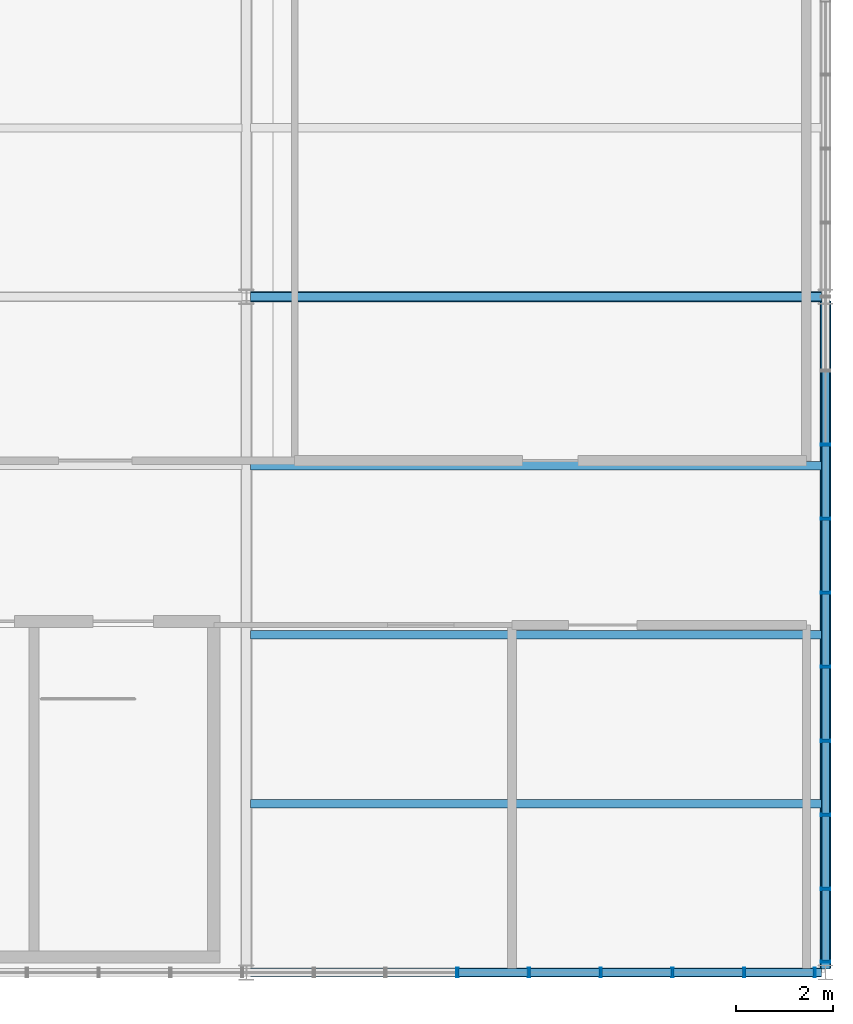
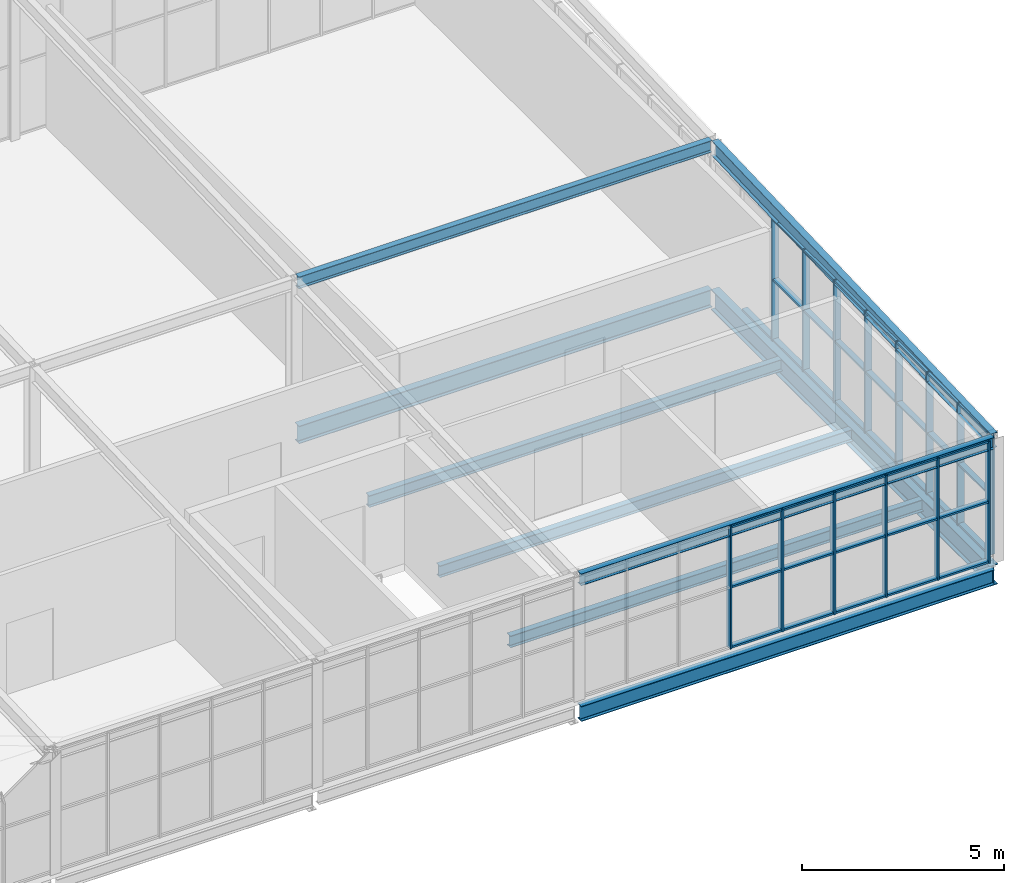
# One storey, part 16 of 27: 51 members, 9 beams, 2 elements without a shape of their own.
"""IFC4 building model written with IfcOpenShell, lengths in metres."""

from ifc_helpers import new_model, si_unit, direction, frame, origin, origin_2d, place, context, subcontext, project, spatial, hollow_rectangle, i_section, extrude, material, layer, layer_set, material_profile, profile_set, type_object, element, aggregate, save


model = new_model("IFC4")

# Units and contexts
model_context = context("Model", 3, precision=1e-05, world=origin(), true_north=direction((0.0, 1.0)))
body_context = subcontext(model_context, "Body", "Model", "MODEL_VIEW")
ifc_project = project(units=[si_unit("LENGTHUNIT", "METRE"), si_unit("AREAUNIT", "SQUARE_METRE"), si_unit("VOLUMEUNIT", "CUBIC_METRE"), si_unit("PLANEANGLEUNIT", "RADIAN"), si_unit("MASSUNIT", "GRAM", prefix="KILO")], contexts=[model_context])

# Site, building, storey
site_placement = place(None, origin())
site = spatial("IfcSite", under=ifc_project, at=site_placement, CompositionType="ELEMENT")
building_placement = place(site_placement, origin())
building = spatial("IfcBuilding", under=site, at=building_placement, Name="Solvenia Promenade Tram Depot", CompositionType="ELEMENT")
storey_placement = place(building_placement, frame((0.0, 0.0, 13.5)))
storey = spatial("IfcBuildingStorey", under=building, at=storey_placement, Name="L03", CompositionType="ELEMENT", Elevation=13.5)

# Beam
ifc_material_1 = material(Name="Structural steel ASTM A992 Gr. 50", Category="steel")
ifc_material_profile_1 = material_profile(ifc_material_1, i_section(OverallWidth=0.19091796875, OverallDepth=0.4599609375, WebThickness=0.010009765625, FlangeThickness=0.01611328125, FilletRadius=0.012939453125, at=origin_2d()), Name="W460x82", Category="steel")
ifc_profile_set_1 = profile_set([ifc_material_profile_1], Name="Structural steel ASTM A992 Gr. 50")
beam_type_1 = type_object("IfcBeamType", Name="Beam-W460x82", PredefinedType="BEAM", material=ifc_profile_set_1)
beam_1_placement = place(storey_placement, frame((162.0, 38.0849609375, 3.530029296875), z_axis=(0.0, 0.999347117137, 0.036129481992), x_axis=(-1.0, 0.0, 0.0)))
element("IfcBeam", 1, at=beam_1_placement, inside=storey, type_object=beam_type_1, Name="Control Hub Sloped Rafter BM-L03-0889", PredefinedType="BEAM", context=body_context, shape_type="SweptSolid", body=[
    extrude(i_section(OverallWidth=0.19091796875, OverallDepth=0.4599609375, WebThickness=0.010009765625, FlangeThickness=0.01611328125, FilletRadius=0.012939453125, at=origin_2d()), origin(), (0.0, 0.0, 1.0), 13.839111328125),
])

# Curtain wall, members
ifc_material_2 = material(Name="Anodized aluminium AW-6063 T6", Category="aluminium")
ifc_layer = layer(ifc_material_2, 0.199951171875, Name="Anodized aluminium AW-6063 T6", Category="aluminium")
ifc_layer_set = layer_set([ifc_layer], Name="Anodized aluminium AW-6063 T6")
curtain_wall_type = type_object("IfcCurtainWallType", Name="CW-OCC-1500", PredefinedType="NOTDEFINED", material=ifc_layer_set)
curtain_wall_1_placement = place(storey_placement, origin())
curtain_wall_1 = element("IfcCurtainWall", 2, at=curtain_wall_1_placement, inside=storey, type_object=curtain_wall_type, Name="Curtain Wall CW-L03-V2S", PredefinedType="NOTDEFINED")
ifc_material_profile_2 = material_profile(ifc_material_2, hollow_rectangle(XDim=0.199951171875, YDim=0.048095703125, WallThickness=0.00390625, at=origin_2d()), Name="ALU-M3", Category="aluminium")
ifc_profile_set_2 = profile_set([ifc_material_profile_2], Name="Anodized aluminium AW-6063 T6")
member_type_1 = type_object("IfcMemberType", Name="CWM-Mullion-3", PredefinedType="MULLION", material=ifc_profile_set_2)
member_1_placement = place(storey_placement, frame((154.371337890625, 38.0, 0.0), z_axis=(0.0, 0.0, 1.0), x_axis=(0.0, 1.0, 0.0)))
member_1 = element("IfcMember", 3, at=member_1_placement, type_object=member_type_1, Name="CW-8 mullion 24", PredefinedType="MULLION", context=body_context, shape_type="SweptSolid", body=[
    extrude(hollow_rectangle(XDim=0.199951171875, YDim=0.048095703125, WallThickness=0.00390625, at=origin_2d()), origin(), (0.0, 0.0, 1.0), 3.699951171875),
])
member_2_placement = place(storey_placement, frame((155.857177734375, 38.0, 0.0), z_axis=(0.0, 0.0, 1.0), x_axis=(0.0, 1.0, 0.0)))
member_2 = element("IfcMember", 4, at=member_2_placement, type_object=member_type_1, Name="CW-8 mullion 25", PredefinedType="MULLION", context=body_context, shape_type="SweptSolid", body=[
    extrude(hollow_rectangle(XDim=0.199951171875, YDim=0.048095703125, WallThickness=0.00390625, at=origin_2d()), origin(), (0.0, 0.0, 1.0), 3.699951171875),
])
member_3_placement = place(storey_placement, frame((157.3427734375, 38.0, 0.0), z_axis=(0.0, 0.0, 1.0), x_axis=(0.0, 1.0, 0.0)))
member_3 = element("IfcMember", 5, at=member_3_placement, type_object=member_type_1, Name="CW-8 mullion 26", PredefinedType="MULLION", context=body_context, shape_type="SweptSolid", body=[
    extrude(hollow_rectangle(XDim=0.199951171875, YDim=0.048095703125, WallThickness=0.00390625, at=origin_2d()), origin(), (0.0, 0.0, 1.0), 3.699951171875),
])
member_4_placement = place(storey_placement, frame((158.82861328125, 38.0, 0.0), z_axis=(0.0, 0.0, 1.0), x_axis=(0.0, 1.0, 0.0)))
member_4 = element("IfcMember", 6, at=member_4_placement, type_object=member_type_1, Name="CW-8 mullion 27", PredefinedType="MULLION", context=body_context, shape_type="SweptSolid", body=[
    extrude(hollow_rectangle(XDim=0.199951171875, YDim=0.048095703125, WallThickness=0.00390625, at=origin_2d()), origin(), (0.0, 0.0, 1.0), 3.699951171875),
])
member_5_placement = place(storey_placement, frame((160.314208984375, 38.0, 0.0), z_axis=(0.0, 0.0, 1.0), x_axis=(0.0, 1.0, 0.0)))
member_5 = element("IfcMember", 7, at=member_5_placement, type_object=member_type_1, Name="CW-8 mullion 28", PredefinedType="MULLION", context=body_context, shape_type="SweptSolid", body=[
    extrude(hollow_rectangle(XDim=0.199951171875, YDim=0.048095703125, WallThickness=0.00390625, at=origin_2d()), origin(), (0.0, 0.0, 1.0), 3.699951171875),
])
member_6_placement = place(storey_placement, frame((161.77587890625, 38.0, 0.0), z_axis=(0.0, 0.0, 1.0), x_axis=(0.0, 1.0, 0.0)))
member_6 = element("IfcMember", 8, at=member_6_placement, type_object=member_type_1, Name="CW-8 mullion 29", PredefinedType="MULLION", context=body_context, shape_type="SweptSolid", body=[
    extrude(hollow_rectangle(XDim=0.199951171875, YDim=0.048095703125, WallThickness=0.00390625, at=origin_2d()), origin(), (0.0, 0.0, 1.0), 3.699951171875),
])

curtain_wall_2_placement = place(storey_placement, origin())
curtain_wall_2 = element("IfcCurtainWall", 9, at=curtain_wall_2_placement, inside=storey, type_object=curtain_wall_type, Name="Curtain Wall CW-L03-V2E", PredefinedType="NOTDEFINED")
member_7_placement = place(storey_placement, frame((162.0, 38.22412109375, 0.0), z_axis=(0.0, 0.0, 1.0), x_axis=(-1.0, 0.0, 0.0)))
member_7 = element("IfcMember", 10, at=member_7_placement, type_object=member_type_1, Name="CW-8 mullion 1", PredefinedType="MULLION", context=body_context, shape_type="SweptSolid", body=[
    extrude(hollow_rectangle(XDim=0.199951171875, YDim=0.048095703125, WallThickness=0.00390625, at=origin_2d()), origin(), (0.0, 0.0, 1.0), 3.699951171875),
])
member_8_placement = place(storey_placement, frame((162.0, 39.7333984375, 0.0), z_axis=(0.0, 0.0, 1.0), x_axis=(-1.0, 0.0, 0.0)))
member_8 = element("IfcMember", 11, at=member_8_placement, type_object=member_type_1, Name="CW-8 mullion 2", PredefinedType="MULLION", context=body_context, shape_type="SweptSolid", body=[
    extrude(hollow_rectangle(XDim=0.199951171875, YDim=0.048095703125, WallThickness=0.00390625, at=origin_2d()), origin(), (0.0, 0.0, 1.0), 3.699951171875),
])
member_9_placement = place(storey_placement, frame((162.0, 41.2666015625, 0.0), z_axis=(0.0, 0.0, 1.0), x_axis=(-1.0, 0.0, 0.0)))
member_9 = element("IfcMember", 12, at=member_9_placement, type_object=member_type_1, Name="CW-8 mullion 3", PredefinedType="MULLION", context=body_context, shape_type="SweptSolid", body=[
    extrude(hollow_rectangle(XDim=0.199951171875, YDim=0.048095703125, WallThickness=0.00390625, at=origin_2d()), origin(), (0.0, 0.0, 1.0), 3.699951171875),
])
member_10_placement = place(storey_placement, frame((162.0, 42.800048828125, 0.0), z_axis=(0.0, 0.0, 1.0), x_axis=(-1.0, 0.0, 0.0)))
member_10 = element("IfcMember", 13, at=member_10_placement, type_object=member_type_1, Name="CW-8 mullion 4", PredefinedType="MULLION", context=body_context, shape_type="SweptSolid", body=[
    extrude(hollow_rectangle(XDim=0.199951171875, YDim=0.048095703125, WallThickness=0.00390625, at=origin_2d()), origin(), (0.0, 0.0, 1.0), 3.699951171875),
])
member_11_placement = place(storey_placement, frame((162.0, 44.333251953125, 0.0), z_axis=(0.0, 0.0, 1.0), x_axis=(-1.0, 0.0, 0.0)))
member_11 = element("IfcMember", 14, at=member_11_placement, type_object=member_type_1, Name="CW-8 mullion 5", PredefinedType="MULLION", context=body_context, shape_type="SweptSolid", body=[
    extrude(hollow_rectangle(XDim=0.199951171875, YDim=0.048095703125, WallThickness=0.00390625, at=origin_2d()), origin(), (0.0, 0.0, 1.0), 3.699951171875),
])
member_12_placement = place(storey_placement, frame((162.0, 45.86669921875, 0.0), z_axis=(0.0, 0.0, 1.0), x_axis=(-1.0, 0.0, 0.0)))
member_12 = element("IfcMember", 15, at=member_12_placement, type_object=member_type_1, Name="CW-8 mullion 6", PredefinedType="MULLION", context=body_context, shape_type="SweptSolid", body=[
    extrude(hollow_rectangle(XDim=0.199951171875, YDim=0.048095703125, WallThickness=0.00390625, at=origin_2d()), origin(), (0.0, 0.0, 1.0), 3.699951171875),
])
member_13_placement = place(storey_placement, frame((162.0, 47.39990234375, 0.0), z_axis=(0.0, 0.0, 1.0), x_axis=(-1.0, 0.0, 0.0)))
member_13 = element("IfcMember", 16, at=member_13_placement, type_object=member_type_1, Name="CW-8 mullion 7", PredefinedType="MULLION", context=body_context, shape_type="SweptSolid", body=[
    extrude(hollow_rectangle(XDim=0.199951171875, YDim=0.048095703125, WallThickness=0.00390625, at=origin_2d()), origin(), (0.0, 0.0, 1.0), 3.699951171875),
])
member_14_placement = place(storey_placement, frame((162.0, 48.933349609375, 0.0), z_axis=(0.0, 0.0, 1.0), x_axis=(-1.0, 0.0, 0.0)))
member_14 = element("IfcMember", 17, at=member_14_placement, type_object=member_type_1, Name="CW-8 mullion 8", PredefinedType="MULLION", context=body_context, shape_type="SweptSolid", body=[
    extrude(hollow_rectangle(XDim=0.199951171875, YDim=0.048095703125, WallThickness=0.00390625, at=origin_2d()), origin(), (0.0, 0.0, 1.0), 3.699951171875),
])

# Member
ifc_material_profile_3 = material_profile(ifc_material_2, hollow_rectangle(XDim=0.159912109375, YDim=0.05810546875, WallThickness=0.00390625, at=origin_2d()), Name="ALU-T3", Category="aluminium")
ifc_profile_set_3 = profile_set([ifc_material_profile_3], Name="Anodized aluminium AW-6063 T6")
member_type_2 = type_object("IfcMemberType", Name="CWT-Transom-3", PredefinedType="USERDEFINED", material=ifc_profile_set_3)
member_15_placement = place(storey_placement, frame((154.3955078125, 38.0, 0.029052734375), z_axis=(1.0, 0.0, 0.0), x_axis=(0.0, 1.0, 0.0)))
member_15 = element("IfcMember", 18, at=member_15_placement, type_object=member_type_2, Name="CW-8 transom 24.1", ObjectType="TRANSOM", PredefinedType="USERDEFINED", context=body_context, shape_type="SweptSolid", body=[
    extrude(hollow_rectangle(XDim=0.159912109375, YDim=0.05810546875, WallThickness=0.00390625, at=origin_2d()), origin(), (0.0, 0.0, 1.0), 1.437744140625),
])

member_16_placement = place(storey_placement, frame((154.3955078125, 38.0, 1.85009765625), z_axis=(1.0, 0.0, 0.0), x_axis=(0.0, 1.0, 0.0)))
member_16 = element("IfcMember", 19, at=member_16_placement, type_object=member_type_2, Name="CW-8 transom 24.2", ObjectType="TRANSOM", PredefinedType="USERDEFINED", context=body_context, shape_type="SweptSolid", body=[
    extrude(hollow_rectangle(XDim=0.159912109375, YDim=0.05810546875, WallThickness=0.00390625, at=origin_2d()), origin(), (0.0, 0.0, 1.0), 1.437744140625),
])

member_17_placement = place(storey_placement, frame((154.3955078125, 38.0, 3.6708984375), z_axis=(1.0, 0.0, 0.0), x_axis=(0.0, 1.0, 0.0)))
member_17 = element("IfcMember", 20, at=member_17_placement, type_object=member_type_2, Name="CW-8 transom 24.3", ObjectType="TRANSOM", PredefinedType="USERDEFINED", context=body_context, shape_type="SweptSolid", body=[
    extrude(hollow_rectangle(XDim=0.159912109375, YDim=0.05810546875, WallThickness=0.00390625, at=origin_2d()), origin(), (0.0, 0.0, 1.0), 1.437744140625),
])

member_18_placement = place(storey_placement, frame((155.881103515625, 38.0, 0.029052734375), z_axis=(1.0, 0.0, 0.0), x_axis=(0.0, 1.0, 0.0)))
member_18 = element("IfcMember", 21, at=member_18_placement, type_object=member_type_2, Name="CW-8 transom 25.1", ObjectType="TRANSOM", PredefinedType="USERDEFINED", context=body_context, shape_type="SweptSolid", body=[
    extrude(hollow_rectangle(XDim=0.159912109375, YDim=0.05810546875, WallThickness=0.00390625, at=origin_2d()), origin(), (0.0, 0.0, 1.0), 1.437744140625),
])

member_19_placement = place(storey_placement, frame((155.881103515625, 38.0, 1.85009765625), z_axis=(1.0, 0.0, 0.0), x_axis=(0.0, 1.0, 0.0)))
member_19 = element("IfcMember", 22, at=member_19_placement, type_object=member_type_2, Name="CW-8 transom 25.2", ObjectType="TRANSOM", PredefinedType="USERDEFINED", context=body_context, shape_type="SweptSolid", body=[
    extrude(hollow_rectangle(XDim=0.159912109375, YDim=0.05810546875, WallThickness=0.00390625, at=origin_2d()), origin(), (0.0, 0.0, 1.0), 1.437744140625),
])

member_20_placement = place(storey_placement, frame((155.881103515625, 38.0, 3.6708984375), z_axis=(1.0, 0.0, 0.0), x_axis=(0.0, 1.0, 0.0)))
member_20 = element("IfcMember", 23, at=member_20_placement, type_object=member_type_2, Name="CW-8 transom 25.3", ObjectType="TRANSOM", PredefinedType="USERDEFINED", context=body_context, shape_type="SweptSolid", body=[
    extrude(hollow_rectangle(XDim=0.159912109375, YDim=0.05810546875, WallThickness=0.00390625, at=origin_2d()), origin(), (0.0, 0.0, 1.0), 1.437744140625),
])

member_21_placement = place(storey_placement, frame((157.366943359375, 38.0, 0.029052734375), z_axis=(1.0, 0.0, 0.0), x_axis=(0.0, 1.0, 0.0)))
member_21 = element("IfcMember", 24, at=member_21_placement, type_object=member_type_2, Name="CW-8 transom 26.1", ObjectType="TRANSOM", PredefinedType="USERDEFINED", context=body_context, shape_type="SweptSolid", body=[
    extrude(hollow_rectangle(XDim=0.159912109375, YDim=0.05810546875, WallThickness=0.00390625, at=origin_2d()), origin(), (0.0, 0.0, 1.0), 1.437744140625),
])

member_22_placement = place(storey_placement, frame((157.366943359375, 38.0, 1.85009765625), z_axis=(1.0, 0.0, 0.0), x_axis=(0.0, 1.0, 0.0)))
member_22 = element("IfcMember", 25, at=member_22_placement, type_object=member_type_2, Name="CW-8 transom 26.2", ObjectType="TRANSOM", PredefinedType="USERDEFINED", context=body_context, shape_type="SweptSolid", body=[
    extrude(hollow_rectangle(XDim=0.159912109375, YDim=0.05810546875, WallThickness=0.00390625, at=origin_2d()), origin(), (0.0, 0.0, 1.0), 1.437744140625),
])

member_23_placement = place(storey_placement, frame((157.366943359375, 38.0, 3.6708984375), z_axis=(1.0, 0.0, 0.0), x_axis=(0.0, 1.0, 0.0)))
member_23 = element("IfcMember", 26, at=member_23_placement, type_object=member_type_2, Name="CW-8 transom 26.3", ObjectType="TRANSOM", PredefinedType="USERDEFINED", context=body_context, shape_type="SweptSolid", body=[
    extrude(hollow_rectangle(XDim=0.159912109375, YDim=0.05810546875, WallThickness=0.00390625, at=origin_2d()), origin(), (0.0, 0.0, 1.0), 1.437744140625),
])

member_24_placement = place(storey_placement, frame((158.8525390625, 38.0, 0.029052734375), z_axis=(1.0, 0.0, 0.0), x_axis=(0.0, 1.0, 0.0)))
member_24 = element("IfcMember", 27, at=member_24_placement, type_object=member_type_2, Name="CW-8 transom 27.1", ObjectType="TRANSOM", PredefinedType="USERDEFINED", context=body_context, shape_type="SweptSolid", body=[
    extrude(hollow_rectangle(XDim=0.159912109375, YDim=0.05810546875, WallThickness=0.00390625, at=origin_2d()), origin(), (0.0, 0.0, 1.0), 1.437744140625),
])

member_25_placement = place(storey_placement, frame((158.8525390625, 38.0, 1.85009765625), z_axis=(1.0, 0.0, 0.0), x_axis=(0.0, 1.0, 0.0)))
member_25 = element("IfcMember", 28, at=member_25_placement, type_object=member_type_2, Name="CW-8 transom 27.2", ObjectType="TRANSOM", PredefinedType="USERDEFINED", context=body_context, shape_type="SweptSolid", body=[
    extrude(hollow_rectangle(XDim=0.159912109375, YDim=0.05810546875, WallThickness=0.00390625, at=origin_2d()), origin(), (0.0, 0.0, 1.0), 1.437744140625),
])

member_26_placement = place(storey_placement, frame((158.8525390625, 38.0, 3.6708984375), z_axis=(1.0, 0.0, 0.0), x_axis=(0.0, 1.0, 0.0)))
member_26 = element("IfcMember", 29, at=member_26_placement, type_object=member_type_2, Name="CW-8 transom 27.3", ObjectType="TRANSOM", PredefinedType="USERDEFINED", context=body_context, shape_type="SweptSolid", body=[
    extrude(hollow_rectangle(XDim=0.159912109375, YDim=0.05810546875, WallThickness=0.00390625, at=origin_2d()), origin(), (0.0, 0.0, 1.0), 1.437744140625),
])

member_27_placement = place(storey_placement, frame((160.33837890625, 38.0, 0.029052734375), z_axis=(1.0, 0.0, 0.0), x_axis=(0.0, 1.0, 0.0)))
member_27 = element("IfcMember", 30, at=member_27_placement, type_object=member_type_2, Name="CW-8 transom 28.1", ObjectType="TRANSOM", PredefinedType="USERDEFINED", context=body_context, shape_type="SweptSolid", body=[
    extrude(hollow_rectangle(XDim=0.159912109375, YDim=0.05810546875, WallThickness=0.00390625, at=origin_2d()), origin(), (0.0, 0.0, 1.0), 1.41357421875),
])

member_28_placement = place(storey_placement, frame((160.33837890625, 38.0, 1.85009765625), z_axis=(1.0, 0.0, 0.0), x_axis=(0.0, 1.0, 0.0)))
member_28 = element("IfcMember", 31, at=member_28_placement, type_object=member_type_2, Name="CW-8 transom 28.2", ObjectType="TRANSOM", PredefinedType="USERDEFINED", context=body_context, shape_type="SweptSolid", body=[
    extrude(hollow_rectangle(XDim=0.159912109375, YDim=0.05810546875, WallThickness=0.00390625, at=origin_2d()), origin(), (0.0, 0.0, 1.0), 1.41357421875),
])

member_29_placement = place(storey_placement, frame((160.33837890625, 38.0, 3.6708984375), z_axis=(1.0, 0.0, 0.0), x_axis=(0.0, 1.0, 0.0)))
member_29 = element("IfcMember", 32, at=member_29_placement, type_object=member_type_2, Name="CW-8 transom 28.3", ObjectType="TRANSOM", PredefinedType="USERDEFINED", context=body_context, shape_type="SweptSolid", body=[
    extrude(hollow_rectangle(XDim=0.159912109375, YDim=0.05810546875, WallThickness=0.00390625, at=origin_2d()), origin(), (0.0, 0.0, 1.0), 1.41357421875),
])

aggregate(curtain_wall_1, [member_1, member_2, member_3, member_4, member_5, member_6, member_15, member_16, member_17, member_18, member_19, member_20, member_21, member_22, member_23, member_24, member_25, member_26, member_27, member_28, member_29])

member_30_placement = place(storey_placement, frame((162.0, 38.248046875, 0.029052734375), z_axis=(0.0, 1.0, 0.0), x_axis=(-1.0, 0.0, 0.0)))
member_30 = element("IfcMember", 33, at=member_30_placement, type_object=member_type_2, Name="CW-8 transom 1.1", ObjectType="TRANSOM", PredefinedType="USERDEFINED", context=body_context, shape_type="SweptSolid", body=[
    extrude(hollow_rectangle(XDim=0.159912109375, YDim=0.05810546875, WallThickness=0.00390625, at=origin_2d()), origin(), (0.0, 0.0, 1.0), 1.461181640625),
])

member_31_placement = place(storey_placement, frame((162.0, 38.248046875, 1.85009765625), z_axis=(0.0, 1.0, 0.0), x_axis=(-1.0, 0.0, 0.0)))
member_31 = element("IfcMember", 34, at=member_31_placement, type_object=member_type_2, Name="CW-8 transom 1.2", ObjectType="TRANSOM", PredefinedType="USERDEFINED", context=body_context, shape_type="SweptSolid", body=[
    extrude(hollow_rectangle(XDim=0.159912109375, YDim=0.05810546875, WallThickness=0.00390625, at=origin_2d()), origin(), (0.0, 0.0, 1.0), 1.461181640625),
])

member_32_placement = place(storey_placement, frame((162.0, 38.248046875, 3.6708984375), z_axis=(0.0, 1.0, 0.0), x_axis=(-1.0, 0.0, 0.0)))
member_32 = element("IfcMember", 35, at=member_32_placement, type_object=member_type_2, Name="CW-8 transom 1.3", ObjectType="TRANSOM", PredefinedType="USERDEFINED", context=body_context, shape_type="SweptSolid", body=[
    extrude(hollow_rectangle(XDim=0.159912109375, YDim=0.05810546875, WallThickness=0.00390625, at=origin_2d()), origin(), (0.0, 0.0, 1.0), 1.461181640625),
])

member_33_placement = place(storey_placement, frame((162.0, 39.75732421875, 0.029052734375), z_axis=(0.0, 1.0, 0.0), x_axis=(-1.0, 0.0, 0.0)))
member_33 = element("IfcMember", 36, at=member_33_placement, type_object=member_type_2, Name="CW-8 transom 2.1", ObjectType="TRANSOM", PredefinedType="USERDEFINED", context=body_context, shape_type="SweptSolid", body=[
    extrude(hollow_rectangle(XDim=0.159912109375, YDim=0.05810546875, WallThickness=0.00390625, at=origin_2d()), origin(), (0.0, 0.0, 1.0), 1.4853515625),
])

member_34_placement = place(storey_placement, frame((162.0, 39.75732421875, 1.85009765625), z_axis=(0.0, 1.0, 0.0), x_axis=(-1.0, 0.0, 0.0)))
member_34 = element("IfcMember", 37, at=member_34_placement, type_object=member_type_2, Name="CW-8 transom 2.2", ObjectType="TRANSOM", PredefinedType="USERDEFINED", context=body_context, shape_type="SweptSolid", body=[
    extrude(hollow_rectangle(XDim=0.159912109375, YDim=0.05810546875, WallThickness=0.00390625, at=origin_2d()), origin(), (0.0, 0.0, 1.0), 1.4853515625),
])

member_35_placement = place(storey_placement, frame((162.0, 39.75732421875, 3.6708984375), z_axis=(0.0, 1.0, 0.0), x_axis=(-1.0, 0.0, 0.0)))
member_35 = element("IfcMember", 38, at=member_35_placement, type_object=member_type_2, Name="CW-8 transom 2.3", ObjectType="TRANSOM", PredefinedType="USERDEFINED", context=body_context, shape_type="SweptSolid", body=[
    extrude(hollow_rectangle(XDim=0.159912109375, YDim=0.05810546875, WallThickness=0.00390625, at=origin_2d()), origin(), (0.0, 0.0, 1.0), 1.4853515625),
])

member_36_placement = place(storey_placement, frame((162.0, 41.290771484375, 0.029052734375), z_axis=(0.0, 1.0, 0.0), x_axis=(-1.0, 0.0, 0.0)))
member_36 = element("IfcMember", 39, at=member_36_placement, type_object=member_type_2, Name="CW-8 transom 3.1", ObjectType="TRANSOM", PredefinedType="USERDEFINED", context=body_context, shape_type="SweptSolid", body=[
    extrude(hollow_rectangle(XDim=0.159912109375, YDim=0.05810546875, WallThickness=0.00390625, at=origin_2d()), origin(), (0.0, 0.0, 1.0), 1.485107421875),
])

member_37_placement = place(storey_placement, frame((162.0, 41.290771484375, 1.85009765625), z_axis=(0.0, 1.0, 0.0), x_axis=(-1.0, 0.0, 0.0)))
member_37 = element("IfcMember", 40, at=member_37_placement, type_object=member_type_2, Name="CW-8 transom 3.2", ObjectType="TRANSOM", PredefinedType="USERDEFINED", context=body_context, shape_type="SweptSolid", body=[
    extrude(hollow_rectangle(XDim=0.159912109375, YDim=0.05810546875, WallThickness=0.00390625, at=origin_2d()), origin(), (0.0, 0.0, 1.0), 1.485107421875),
])

member_38_placement = place(storey_placement, frame((162.0, 41.290771484375, 3.6708984375), z_axis=(0.0, 1.0, 0.0), x_axis=(-1.0, 0.0, 0.0)))
member_38 = element("IfcMember", 41, at=member_38_placement, type_object=member_type_2, Name="CW-8 transom 3.3", ObjectType="TRANSOM", PredefinedType="USERDEFINED", context=body_context, shape_type="SweptSolid", body=[
    extrude(hollow_rectangle(XDim=0.159912109375, YDim=0.05810546875, WallThickness=0.00390625, at=origin_2d()), origin(), (0.0, 0.0, 1.0), 1.485107421875),
])

member_39_placement = place(storey_placement, frame((162.0, 42.823974609375, 0.029052734375), z_axis=(0.0, 1.0, 0.0), x_axis=(-1.0, 0.0, 0.0)))
member_39 = element("IfcMember", 42, at=member_39_placement, type_object=member_type_2, Name="CW-8 transom 4.1", ObjectType="TRANSOM", PredefinedType="USERDEFINED", context=body_context, shape_type="SweptSolid", body=[
    extrude(hollow_rectangle(XDim=0.159912109375, YDim=0.05810546875, WallThickness=0.00390625, at=origin_2d()), origin(), (0.0, 0.0, 1.0), 1.4853515625),
])

member_40_placement = place(storey_placement, frame((162.0, 42.823974609375, 1.85009765625), z_axis=(0.0, 1.0, 0.0), x_axis=(-1.0, 0.0, 0.0)))
member_40 = element("IfcMember", 43, at=member_40_placement, type_object=member_type_2, Name="CW-8 transom 4.2", ObjectType="TRANSOM", PredefinedType="USERDEFINED", context=body_context, shape_type="SweptSolid", body=[
    extrude(hollow_rectangle(XDim=0.159912109375, YDim=0.05810546875, WallThickness=0.00390625, at=origin_2d()), origin(), (0.0, 0.0, 1.0), 1.4853515625),
])

member_41_placement = place(storey_placement, frame((162.0, 42.823974609375, 3.6708984375), z_axis=(0.0, 1.0, 0.0), x_axis=(-1.0, 0.0, 0.0)))
member_41 = element("IfcMember", 44, at=member_41_placement, type_object=member_type_2, Name="CW-8 transom 4.3", ObjectType="TRANSOM", PredefinedType="USERDEFINED", context=body_context, shape_type="SweptSolid", body=[
    extrude(hollow_rectangle(XDim=0.159912109375, YDim=0.05810546875, WallThickness=0.00390625, at=origin_2d()), origin(), (0.0, 0.0, 1.0), 1.4853515625),
])

member_42_placement = place(storey_placement, frame((162.0, 44.357421875, 0.029052734375), z_axis=(0.0, 1.0, 0.0), x_axis=(-1.0, 0.0, 0.0)))
member_42 = element("IfcMember", 45, at=member_42_placement, type_object=member_type_2, Name="CW-8 transom 5.1", ObjectType="TRANSOM", PredefinedType="USERDEFINED", context=body_context, shape_type="SweptSolid", body=[
    extrude(hollow_rectangle(XDim=0.159912109375, YDim=0.05810546875, WallThickness=0.00390625, at=origin_2d()), origin(), (0.0, 0.0, 1.0), 1.4853515625),
])

member_43_placement = place(storey_placement, frame((162.0, 44.357421875, 1.85009765625), z_axis=(0.0, 1.0, 0.0), x_axis=(-1.0, 0.0, 0.0)))
member_43 = element("IfcMember", 46, at=member_43_placement, type_object=member_type_2, Name="CW-8 transom 5.2", ObjectType="TRANSOM", PredefinedType="USERDEFINED", context=body_context, shape_type="SweptSolid", body=[
    extrude(hollow_rectangle(XDim=0.159912109375, YDim=0.05810546875, WallThickness=0.00390625, at=origin_2d()), origin(), (0.0, 0.0, 1.0), 1.4853515625),
])

member_44_placement = place(storey_placement, frame((162.0, 44.357421875, 3.6708984375), z_axis=(0.0, 1.0, 0.0), x_axis=(-1.0, 0.0, 0.0)))
member_44 = element("IfcMember", 47, at=member_44_placement, type_object=member_type_2, Name="CW-8 transom 5.3", ObjectType="TRANSOM", PredefinedType="USERDEFINED", context=body_context, shape_type="SweptSolid", body=[
    extrude(hollow_rectangle(XDim=0.159912109375, YDim=0.05810546875, WallThickness=0.00390625, at=origin_2d()), origin(), (0.0, 0.0, 1.0), 1.4853515625),
])

member_45_placement = place(storey_placement, frame((162.0, 45.890625, 0.029052734375), z_axis=(0.0, 1.0, 0.0), x_axis=(-1.0, 0.0, 0.0)))
member_45 = element("IfcMember", 48, at=member_45_placement, type_object=member_type_2, Name="CW-8 transom 6.1", ObjectType="TRANSOM", PredefinedType="USERDEFINED", context=body_context, shape_type="SweptSolid", body=[
    extrude(hollow_rectangle(XDim=0.159912109375, YDim=0.05810546875, WallThickness=0.00390625, at=origin_2d()), origin(), (0.0, 0.0, 1.0), 1.4853515625),
])

member_46_placement = place(storey_placement, frame((162.0, 45.890625, 1.85009765625), z_axis=(0.0, 1.0, 0.0), x_axis=(-1.0, 0.0, 0.0)))
member_46 = element("IfcMember", 49, at=member_46_placement, type_object=member_type_2, Name="CW-8 transom 6.2", ObjectType="TRANSOM", PredefinedType="USERDEFINED", context=body_context, shape_type="SweptSolid", body=[
    extrude(hollow_rectangle(XDim=0.159912109375, YDim=0.05810546875, WallThickness=0.00390625, at=origin_2d()), origin(), (0.0, 0.0, 1.0), 1.4853515625),
])

member_47_placement = place(storey_placement, frame((162.0, 45.890625, 3.6708984375), z_axis=(0.0, 1.0, 0.0), x_axis=(-1.0, 0.0, 0.0)))
member_47 = element("IfcMember", 50, at=member_47_placement, type_object=member_type_2, Name="CW-8 transom 6.3", ObjectType="TRANSOM", PredefinedType="USERDEFINED", context=body_context, shape_type="SweptSolid", body=[
    extrude(hollow_rectangle(XDim=0.159912109375, YDim=0.05810546875, WallThickness=0.00390625, at=origin_2d()), origin(), (0.0, 0.0, 1.0), 1.4853515625),
])

member_48_placement = place(storey_placement, frame((162.0, 47.424072265625, 0.029052734375), z_axis=(0.0, 1.0, 0.0), x_axis=(-1.0, 0.0, 0.0)))
member_48 = element("IfcMember", 51, at=member_48_placement, type_object=member_type_2, Name="CW-8 transom 7.1", ObjectType="TRANSOM", PredefinedType="USERDEFINED", context=body_context, shape_type="SweptSolid", body=[
    extrude(hollow_rectangle(XDim=0.159912109375, YDim=0.05810546875, WallThickness=0.00390625, at=origin_2d()), origin(), (0.0, 0.0, 1.0), 1.4853515625),
])

member_49_placement = place(storey_placement, frame((162.0, 47.424072265625, 1.85009765625), z_axis=(0.0, 1.0, 0.0), x_axis=(-1.0, 0.0, 0.0)))
member_49 = element("IfcMember", 52, at=member_49_placement, type_object=member_type_2, Name="CW-8 transom 7.2", ObjectType="TRANSOM", PredefinedType="USERDEFINED", context=body_context, shape_type="SweptSolid", body=[
    extrude(hollow_rectangle(XDim=0.159912109375, YDim=0.05810546875, WallThickness=0.00390625, at=origin_2d()), origin(), (0.0, 0.0, 1.0), 1.4853515625),
])

member_50_placement = place(storey_placement, frame((162.0, 47.424072265625, 3.6708984375), z_axis=(0.0, 1.0, 0.0), x_axis=(-1.0, 0.0, 0.0)))
member_50 = element("IfcMember", 53, at=member_50_placement, type_object=member_type_2, Name="CW-8 transom 7.3", ObjectType="TRANSOM", PredefinedType="USERDEFINED", context=body_context, shape_type="SweptSolid", body=[
    extrude(hollow_rectangle(XDim=0.159912109375, YDim=0.05810546875, WallThickness=0.00390625, at=origin_2d()), origin(), (0.0, 0.0, 1.0), 1.4853515625),
])

member_51_placement = place(storey_placement, frame((162.0, 48.957275390625, 0.029052734375), z_axis=(0.0, 1.0, 0.0), x_axis=(-1.0, 0.0, 0.0)))
member_51 = element("IfcMember", 54, at=member_51_placement, type_object=member_type_2, Name="CW-8 transom 8.1", ObjectType="TRANSOM", PredefinedType="USERDEFINED", context=body_context, shape_type="SweptSolid", body=[
    extrude(hollow_rectangle(XDim=0.159912109375, YDim=0.05810546875, WallThickness=0.00390625, at=origin_2d()), origin(), (0.0, 0.0, 1.0), 1.4853515625),
])

aggregate(curtain_wall_2, [member_7, member_8, member_9, member_10, member_11, member_12, member_13, member_14, member_30, member_31, member_32, member_33, member_34, member_35, member_36, member_37, member_38, member_39, member_40, member_41, member_42, member_43, member_44, member_45, member_46, member_47, member_48, member_49, member_50, member_51])

# Beams
ifc_material_profile_4 = material_profile(ifc_material_1, i_section(OverallWidth=0.2099609375, OverallDepth=0.537109375, WebThickness=0.010986328125, FlangeThickness=0.017333984375, FilletRadius=0.013916015625, at=origin_2d()), Name="W530x101", Category="steel")
ifc_profile_set_4 = profile_set([ifc_material_profile_4], Name="Structural steel ASTM A992 Gr. 50")
beam_type_2 = type_object("IfcBeamType", Name="Gird-W530x101", PredefinedType="BEAM", material=ifc_profile_set_4)
beam_2_placement = place(storey_placement, frame((150.0849609375, 52.0, -0.508544921875), z_axis=(1.0, 0.0, 0.0), x_axis=(0.0, 1.0, 0.0)))
element("IfcBeam", 55, at=beam_2_placement, inside=storey, type_object=beam_type_2, Name="Primary Girder BM-L03-0604", PredefinedType="BEAM", context=body_context, shape_type="SweptSolid", body=[
    extrude(i_section(OverallWidth=0.2099609375, OverallDepth=0.537109375, WebThickness=0.010986328125, FlangeThickness=0.017333984375, FilletRadius=0.013916015625, at=origin_2d()), origin(), (0.0, 0.0, 1.0), 11.830078125),
])
ifc_material_profile_5 = material_profile(ifc_material_1, i_section(OverallWidth=0.22900390625, OverallDepth=0.612060546875, WebThickness=0.011962890625, FlangeThickness=0.01953125, FilletRadius=0.014892578125, at=origin_2d()), Name="W610x125", Category="steel")
ifc_profile_set_5 = profile_set([ifc_material_profile_5], Name="Structural steel ASTM A992 Gr. 50")
beam_type_3 = type_object("IfcBeamType", Name="Gird-W610x125", PredefinedType="BEAM", material=ifc_profile_set_5)
beam_3_placement = place(storey_placement, frame((162.0, 38.0849609375, -0.5458984375), z_axis=(0.0, 1.0, 0.0), x_axis=(-1.0, 0.0, 0.0)))
element("IfcBeam", 56, at=beam_3_placement, inside=storey, type_object=beam_type_3, Name="Transverse Girder BM-L03-0620", PredefinedType="BEAM", context=body_context, shape_type="SweptSolid", body=[
    extrude(i_section(OverallWidth=0.22900390625, OverallDepth=0.612060546875, WebThickness=0.011962890625, FlangeThickness=0.01953125, FilletRadius=0.014892578125, at=origin_2d()), origin(), (0.0, 0.0, 1.0), 13.830078125),
])
ifc_material_profile_6 = material_profile(ifc_material_1, i_section(OverallWidth=0.172119140625, OverallDepth=0.35791015625, WebThickness=0.0078125, FlangeThickness=0.01318359375, FilletRadius=0.010986328125, at=origin_2d()), Name="W360x57", Category="steel")
ifc_profile_set_6 = profile_set([ifc_material_profile_6], Name="Structural steel ASTM A992 Gr. 50")
beam_type_4 = type_object("IfcBeamType", Name="Joist-W360x57", PredefinedType="JOIST", material=ifc_profile_set_6)
for number, where, z_axis, x_axis, name in (
    (57, (150.0849609375, 41.5, -0.4189453125), (1.0, 0.0, 0.0), (0.0, 1.0, 0.0), "Secondary Floor Joist BM-L03-0644"),
    (58, (150.0849609375, 45.0, -0.4189453125), (1.0, 0.0, 0.0), (0.0, 1.0, 0.0), "Secondary Floor Joist BM-L03-0645"),
    (59, (150.0849609375, 48.5, -0.4189453125), (1.0, 0.0, 0.0), (0.0, 1.0, 0.0), "Secondary Floor Joist BM-L03-0646"),
):
    element("IfcBeam", number, at=place(storey_placement, frame(where, z_axis=z_axis, x_axis=x_axis)), inside=storey, type_object=beam_type_4, Name=name, PredefinedType="JOIST", context=body_context, shape_type="SweptSolid", body=[
        extrude(i_section(OverallWidth=0.172119140625, OverallDepth=0.35791015625, WebThickness=0.0078125, FlangeThickness=0.01318359375, FilletRadius=0.010986328125, at=origin_2d()), origin(), (0.0, 0.0, 1.0), 11.830078125),
    ])
ifc_material_profile_7 = material_profile(ifc_material_1, i_section(OverallWidth=0.172119140625, OverallDepth=0.35791015625, WebThickness=0.0078125, FlangeThickness=0.01318359375, FilletRadius=0.010986328125, at=origin_2d()), Name="W360x57", Category="steel")
ifc_profile_set_7 = profile_set([ifc_material_profile_7], Name="Structural steel ASTM A992 Gr. 50")
beam_type_5 = type_object("IfcBeamType", Name="Spandrel-W360x57", PredefinedType="SPANDREL", material=ifc_profile_set_7)
for number, where, z_axis, x_axis, name in (
    (60, (150.0849609375, 38.0, 3.5810546875), (1.0, 0.0, 0.0), (0.0, 1.0, 0.0), "Control Hub Roof Girder BM-L03-0903"),
    (61, (150.0849609375, 52.0, 4.0810546875), (1.0, 0.0, 0.0), (0.0, 1.0, 0.0), "Control Hub Roof Girder BM-L03-0904"),
):
    element("IfcBeam", number, at=place(storey_placement, frame(where, z_axis=z_axis, x_axis=x_axis)), inside=storey, type_object=beam_type_5, Name=name, PredefinedType="SPANDREL", context=body_context, shape_type="SweptSolid", body=[
        extrude(i_section(OverallWidth=0.172119140625, OverallDepth=0.35791015625, WebThickness=0.0078125, FlangeThickness=0.01318359375, FilletRadius=0.010986328125, at=origin_2d()), origin(), (0.0, 0.0, 1.0), 11.830078125),
    ])
ifc_material_profile_8 = material_profile(ifc_material_1, i_section(OverallWidth=0.19091796875, OverallDepth=0.4599609375, WebThickness=0.010009765625, FlangeThickness=0.01611328125, FilletRadius=0.012939453125, at=origin_2d()), Name="W460x82", Category="steel")
ifc_profile_set_8 = profile_set([ifc_material_profile_8], Name="Structural steel ASTM A992 Gr. 50")
beam_type_6 = type_object("IfcBeamType", Name="Spandrel-W460x82", PredefinedType="SPANDREL", material=ifc_profile_set_8)
beam_4_placement = place(storey_placement, frame((150.0849609375, 38.0, -0.469970703125), z_axis=(1.0, 0.0, 0.0), x_axis=(0.0, 1.0, 0.0)))
element("IfcBeam", 62, at=beam_4_placement, inside=storey, type_object=beam_type_6, Name="Perimeter Spandrel BM-L03-0599", PredefinedType="SPANDREL", context=body_context, shape_type="SweptSolid", body=[
    extrude(i_section(OverallWidth=0.19091796875, OverallDepth=0.4599609375, WebThickness=0.010009765625, FlangeThickness=0.01611328125, FilletRadius=0.012939453125, at=origin_2d()), origin(), (0.0, 0.0, 1.0), 11.830078125),
])

save(model, "model.ifc")
